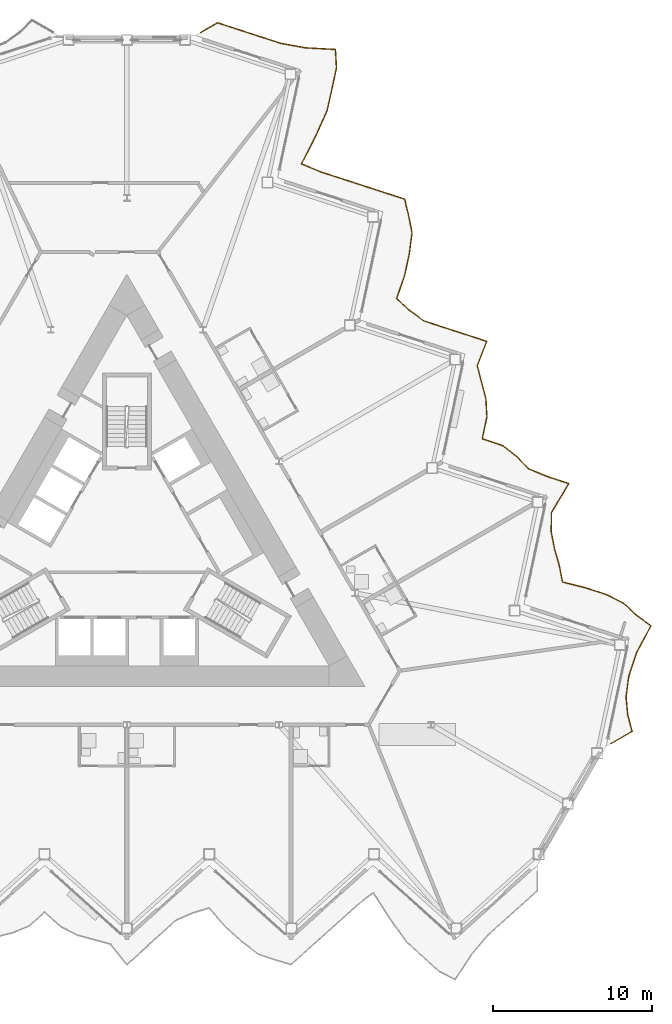
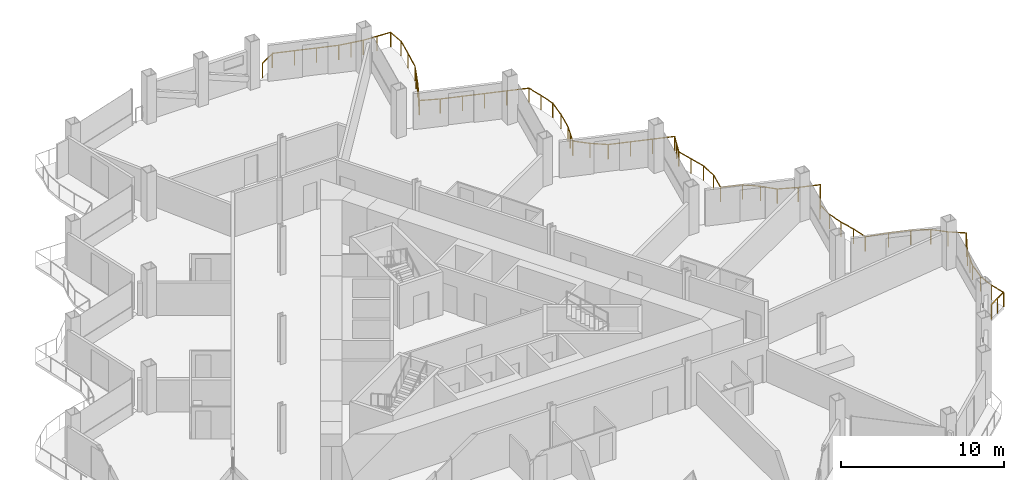
# One storey, part 22 of 24: 1 railing.
"""IFC4 building model written with IfcOpenShell, lengths in metres."""

from ifc_helpers import new_model, si_unit, direction, frame, origin, origin_2d, place, context, subcontext, project, spatial, circle, extrude, material, type_object, element, save


model = new_model("IFC4")

# Units and contexts
model_context = context("Model", 3, precision=1e-05, world=origin(), true_north=direction((0.0, 1.0)))
body_context = subcontext(model_context, "Body", "Model", "MODEL_VIEW")
ifc_project = project(units=[si_unit("LENGTHUNIT", "METRE"), si_unit("AREAUNIT", "SQUARE_METRE"), si_unit("VOLUMEUNIT", "CUBIC_METRE"), si_unit("PLANEANGLEUNIT", "RADIAN"), si_unit("MASSUNIT", "GRAM", prefix="KILO")], contexts=[model_context])

# Site, building, storey
site_placement = place(None, origin())
site = spatial("IfcSite", under=ifc_project, at=site_placement, CompositionType="ELEMENT")
building_placement = place(site_placement, origin())
building = spatial("IfcBuilding", under=site, at=building_placement, Name="Cormorant Prow Tower", CompositionType="ELEMENT")
storey_placement = place(building_placement, frame((0.0, 0.0, 234.60009765625)))
storey = spatial("IfcBuildingStorey", under=building, at=storey_placement, Name="L51", CompositionType="ELEMENT", Elevation=234.60009765625)

# Railing
ifc_material = material(Name="Aluminium 6063-T6", Category="aluminium")
railing_type = type_object("IfcRailingType", Name="Balcony guard 1100", PredefinedType="GUARDRAIL", material=ifc_material)
railing_placement = place(storey_placement, frame((30.512451171875, -12.24365234375, 0.0)))
element("IfcRailing", 1, at=railing_placement, inside=storey, type_object=railing_type, Name="Balcony guard ENE", PredefinedType="GUARDRAIL", context=body_context, shape_type="SweptSolid", body=[
    extrude(circle(Radius=0.02392578125, at=origin_2d()), frame((0.0, 0.0, 1.076171875), z_axis=(0.866030456496, 0.499991248344, 0.0), x_axis=(-0.499991248344, 0.866030456496, 0.0)), (0.0, 0.0, 1.0), 1.52001953125),
    extrude(circle(Radius=0.02392578125, at=origin_2d()), frame((1.31640625, 0.760009765625, 1.076171875), z_axis=(-0.254840792484, 0.966983024921, 0.0), x_axis=(-0.966983024921, -0.254840792484, 0.0)), (0.0, 0.0, 1.0), 1.072021484375),
    extrude(circle(Radius=0.02392578125, at=origin_2d()), frame((1.043212890625, 1.796630859375, 1.076171875), z_axis=(-0.096228090326, 0.995359309311, 0.0), x_axis=(-0.995359309311, -0.096228090326, 0.0)), (0.0, 0.0, 1.0), 1.13671875),
    extrude(circle(Radius=0.02392578125, at=origin_2d()), frame((0.933837890625, 2.927978515625, 1.076171875), z_axis=(0.131035567857, 0.991377667671, 0.0), x_axis=(-0.991377667671, 0.131035567857, 0.0)), (0.0, 0.0, 1.0), 1.30419921875),
    extrude(circle(Radius=0.02392578125, at=origin_2d()), frame((1.104736328125, 4.220947265625, 1.076171875), z_axis=(0.312593203232, 0.949887092919, 0.0), x_axis=(-0.949887092919, 0.312593203232, 0.0)), (0.0, 0.0, 1.0), 1.552734375),
    extrude(circle(Radius=0.02392578125, at=origin_2d()), frame((1.590087890625, 5.69580078125, 1.076171875), z_axis=(0.468727775274, 0.883342670025, 0.0), x_axis=(-0.883342670025, 0.468727775274, 0.0)), (0.0, 0.0, 1.0), 1.948974609375),
    extrude(circle(Radius=0.02392578125, at=origin_2d()), frame((2.503662109375, 7.41748046875, 1.076171875), z_axis=(-0.808512145114, 0.588479490894, 0.0), x_axis=(-0.588479490894, -0.808512145114, 0.0)), (0.0, 0.0, 1.0), 1.1318359375),
    extrude(circle(Radius=0.02392578125, at=origin_2d()), frame((1.588623046875, 8.08349609375, 1.076171875), z_axis=(-0.729332902847, 0.68415898505, 0.0), x_axis=(-0.68415898505, -0.729332902847, 0.0)), (0.0, 0.0, 1.0), 1.080810546875),
    extrude(circle(Radius=0.02392578125, at=origin_2d()), frame((0.80029296875, 8.822998046875, 1.076171875), z_axis=(-0.891036475341, 0.453931712499, 0.0), x_axis=(-0.453931712499, -0.891036475341, 0.0)), (0.0, 0.0, 1.0), 1.233154296875),
    extrude(circle(Radius=0.02392578125, at=origin_2d()), frame((-0.298583984375, 9.3828125, 1.076171875), z_axis=(-0.951041802481, 0.30906227517, 0.0), x_axis=(-0.30906227517, -0.951041802481, 0.0)), (0.0, 0.0, 1.0), 1.391845703125),
    extrude(circle(Radius=0.02392578125, at=origin_2d()), frame((-1.622314453125, 9.81298828125, 1.076171875), z_axis=(-0.970161796479, 0.242458426648, 0.0), x_axis=(-0.242458426648, -0.970161796479, 0.0)), (0.0, 0.0, 1.0), 1.48828125),
    extrude(circle(Radius=0.02392578125, at=origin_2d()), frame((-3.066162109375, 10.173828125, 1.076171875), z_axis=(-0.192507229967, 0.981295555075, 0.0), x_axis=(-0.981295555075, -0.192507229967, 0.0)), (0.0, 0.0, 1.0), 1.09326171875),
    extrude(circle(Radius=0.02392578125, at=origin_2d()), frame((-3.276611328125, 11.24658203125, 1.076171875), z_axis=(-0.276717339996, 0.960951358678, 0.0), x_axis=(-0.960951358678, -0.276717339996, 0.0)), (0.0, 0.0, 1.0), 1.065673828125),
    extrude(circle(Radius=0.02392578125, at=origin_2d()), frame((-3.571533203125, 12.270751953125, 1.076171875), z_axis=(-0.191263897911, 0.981538649955, 0.0), x_axis=(-0.981538649955, -0.191263897911, 0.0)), (0.0, 0.0, 1.0), 1.093994140625),
    extrude(circle(Radius=0.02392578125, at=origin_2d()), frame((-3.78076171875, 13.344482421875, 1.076171875), z_axis=(0.0183993115, 0.99983071834, 0.0), x_axis=(-0.99983071834, 0.0183993115, 0.0)), (0.0, 0.0, 1.0), 1.20751953125),
    extrude(circle(Radius=0.02392578125, at=origin_2d()), frame((-3.758544921875, 14.5517578125, 1.076171875), z_axis=(0.513058699108, 0.85835352348, 0.0), x_axis=(-0.85835352348, 0.513058699108, 0.0)), (0.0, 0.0, 1.0), 2.124755859375),
    extrude(circle(Radius=0.02392578125, at=origin_2d()), frame((-2.66845703125, 16.37548828125, 1.076171875), z_axis=(-0.951025043764, 0.309113840087, 0.0), x_axis=(-0.309113840087, -0.951025043764, 0.0)), (0.0, 0.0, 1.0), 1.3916015625),
    extrude(circle(Radius=0.02392578125, at=origin_2d()), frame((-3.991943359375, 16.8056640625, 1.076171875), z_axis=(-0.924623875509, 0.380881462975, 0.0), x_axis=(-0.380881462975, -0.924623875509, 0.0)), (0.0, 0.0, 1.0), 1.3056640625),
    extrude(circle(Radius=0.02392578125, at=origin_2d()), frame((-5.19921875, 17.302978515625, 1.076171875), z_axis=(-0.698129452418, 0.715971555068, 0.0), x_axis=(-0.715971555068, -0.698129452418, 0.0)), (0.0, 0.0, 1.0), 1.0673828125),
    extrude(circle(Radius=0.02392578125, at=origin_2d()), frame((-5.9443359375, 18.067138671875, 1.076171875), z_axis=(-0.783814393547, 0.62099516622, 0.0), x_axis=(-0.62099516622, -0.783814393547, 0.0)), (0.0, 0.0, 1.0), 1.112548828125),
    extrude(circle(Radius=0.02392578125, at=origin_2d()), frame((-6.81640625, 18.758056640625, 1.076171875), z_axis=(-0.946657972605, 0.322240101327, 0.0), x_axis=(-0.322240101327, -0.946657972605, 0.0)), (0.0, 0.0, 1.0), 1.375),
    extrude(circle(Radius=0.02392578125, at=origin_2d()), frame((-8.1181640625, 19.201171875, 1.076171875), z_axis=(0.208043372931, 0.978119601572, 0.0), x_axis=(-0.978119601572, 0.208043372931, 0.0)), (0.0, 0.0, 1.0), 1.391845703125),
    extrude(circle(Radius=0.02392578125, at=origin_2d()), frame((-7.82861328125, 20.5625, 1.076171875), z_axis=(-0.053663343853, 0.998559084645, 0.0), x_axis=(-0.998559084645, -0.053663343853, 0.0)), (0.0, 0.0, 1.0), 1.16015625),
    extrude(circle(Radius=0.02392578125, at=origin_2d()), frame((-7.890869140625, 21.720947265625, 1.076171875), z_axis=(-0.255804906349, 0.96672842613, 0.0), x_axis=(-0.96672842613, -0.255804906349, 0.0)), (0.0, 0.0, 1.0), 1.07177734375),
    extrude(circle(Radius=0.02392578125, at=origin_2d()), frame((-8.1650390625, 22.757080078125, 1.076171875), z_axis=(-0.254089825129, 0.967180624685, 0.0), x_axis=(-0.967180624685, -0.254089825129, 0.0)), (0.0, 0.0, 1.0), 1.072265625),
    extrude(circle(Radius=0.02392578125, at=origin_2d()), frame((-8.4375, 23.794189453125, 1.076171875), z_axis=(0.361682622655, 0.932301282027, 0.0), x_axis=(-0.932301282027, 0.361682622655, 0.0)), (0.0, 0.0, 1.0), 1.651123046875),
    extrude(circle(Radius=0.02392578125, at=origin_2d()), frame((-7.84033203125, 25.33349609375, 1.076171875), z_axis=(-0.951041802481, 0.30906227517, 0.0), x_axis=(-0.30906227517, -0.951041802481, 0.0)), (0.0, 0.0, 1.0), 1.391845703125),
    extrude(circle(Radius=0.02392578125, at=origin_2d()), frame((-9.1640625, 25.763671875, 1.076171875), z_axis=(-0.951041802481, 0.30906227517, 0.0), x_axis=(-0.30906227517, -0.951041802481, 0.0)), (0.0, 0.0, 1.0), 1.391845703125),
    extrude(circle(Radius=0.02392578125, at=origin_2d()), frame((-10.48779296875, 26.19384765625, 1.076171875), z_axis=(-0.951093348811, 0.308903612552, 0.0), x_axis=(-0.308903612552, -0.951093348811, 0.0)), (0.0, 0.0, 1.0), 1.391845703125),
    extrude(circle(Radius=0.02392578125, at=origin_2d()), frame((-11.8115234375, 26.623779296875, 1.076171875), z_axis=(-0.805338317459, 0.592815480932, 0.0), x_axis=(-0.592815480932, -0.805338317459, 0.0)), (0.0, 0.0, 1.0), 1.129150390625),
    extrude(circle(Radius=0.02392578125, at=origin_2d()), frame((-12.720947265625, 27.293212890625, 1.076171875), z_axis=(-0.730205983412, 0.683227064591, 0.0), x_axis=(-0.683227064591, -0.730205983412, 0.0)), (0.0, 0.0, 1.0), 1.0810546875),
    extrude(circle(Radius=0.02392578125, at=origin_2d()), frame((-13.51025390625, 28.03173828125, 1.076171875), z_axis=(0.32394351761, 0.946076422599, 0.0), x_axis=(-0.946076422599, 0.32394351761, 0.0)), (0.0, 0.0, 1.0), 1.57373046875),
    extrude(circle(Radius=0.02392578125, at=origin_2d()), frame((-13.00048828125, 29.5205078125, 1.076171875), z_axis=(0.207839876658, 0.978162862549, 0.0), x_axis=(-0.978162862549, 0.207839876658, 0.0)), (0.0, 0.0, 1.0), 1.39208984375),
    extrude(circle(Radius=0.02392578125, at=origin_2d()), frame((-12.711181640625, 30.882080078125, 1.076171875), z_axis=(0.127268491601, 0.991868303277, 0.0), x_axis=(-0.991868303277, 0.127268491601, 0.0)), (0.0, 0.0, 1.0), 1.300537109375),
    extrude(circle(Radius=0.02392578125, at=origin_2d()), frame((-12.545654296875, 32.172119140625, 1.076171875), z_axis=(-0.194182012414, 0.980965517261, 0.0), x_axis=(-0.980965517261, -0.194182012414, 0.0)), (0.0, 0.0, 1.0), 1.092529296875),
    extrude(circle(Radius=0.02392578125, at=origin_2d()), frame((-12.7578125, 33.243896484375, 1.076171875), z_axis=(-0.235975942888, 0.971758897247, 0.0), x_axis=(-0.971758897247, -0.235975942888, 0.0)), (0.0, 0.0, 1.0), 1.078125),
    extrude(circle(Radius=0.02392578125, at=origin_2d()), frame((-13.01220703125, 34.29150390625, 1.076171875), z_axis=(-0.951093348811, 0.308903612552, 0.0), x_axis=(-0.308903612552, -0.951093348811, 0.0)), (0.0, 0.0, 1.0), 1.391845703125),
    extrude(circle(Radius=0.02392578125, at=origin_2d()), frame((-14.3359375, 34.721435546875, 1.076171875), z_axis=(-0.950990235276, 0.309220911987, 0.0), x_axis=(-0.309220911987, -0.950990235276, 0.0)), (0.0, 0.0, 1.0), 1.391845703125),
    extrude(circle(Radius=0.02392578125, at=origin_2d()), frame((-15.65966796875, 35.15185546875, 1.076171875), z_axis=(-0.951093348811, 0.308903612552, 0.0), x_axis=(-0.308903612552, -0.951093348811, 0.0)), (0.0, 0.0, 1.0), 1.391845703125),
    extrude(circle(Radius=0.02392578125, at=origin_2d()), frame((-16.9833984375, 35.581787109375, 1.076171875), z_axis=(-0.951041802481, 0.30906227517, 0.0), x_axis=(-0.30906227517, -0.951041802481, 0.0)), (0.0, 0.0, 1.0), 1.391845703125),
    extrude(circle(Radius=0.02392578125, at=origin_2d()), frame((-18.30712890625, 36.011962890625, 1.076171875), z_axis=(-0.923038072254, 0.384708613329, 0.0), x_axis=(-0.384708613329, -0.923038072254, 0.0)), (0.0, 0.0, 1.0), 1.301513671875),
    extrude(circle(Radius=0.02392578125, at=origin_2d()), frame((-19.508544921875, 36.5126953125, 1.076171875), z_axis=(0.455501796215, 0.890234864317, 0.0), x_axis=(-0.890234864317, 0.455501796215, 0.0)), (0.0, 0.0, 1.0), 1.904296875),
    extrude(circle(Radius=0.02392578125, at=origin_2d()), frame((-18.64111328125, 38.2080078125, 1.076171875), z_axis=(0.414917620395, 0.909858982637, 0.0), x_axis=(-0.909858982637, 0.414917620395, 0.0)), (0.0, 0.0, 1.0), 1.78173828125),
    extrude(circle(Radius=0.02392578125, at=origin_2d()), frame((-17.90185546875, 39.8291015625, 1.076171875), z_axis=(0.219024854364, 0.975719279901, 0.0), x_axis=(-0.975719279901, 0.219024854364, 0.0)), (0.0, 0.0, 1.0), 1.40673828125),
    extrude(circle(Radius=0.02392578125, at=origin_2d()), frame((-17.59375, 41.20166015625, 1.076171875), z_axis=(0.208043372931, 0.978119601572, 0.0), x_axis=(-0.978119601572, 0.208043372931, 0.0)), (0.0, 0.0, 1.0), 1.391845703125),
    extrude(circle(Radius=0.02392578125, at=origin_2d()), frame((-17.30419921875, 42.56298828125, 1.076171875), z_axis=(-0.057992644245, 0.99831701038, 0.0), x_axis=(-0.99831701038, -0.057992644245, 0.0)), (0.0, 0.0, 1.0), 1.15771484375),
    extrude(circle(Radius=0.02392578125, at=origin_2d()), frame((-17.371337890625, 43.71875, 1.076171875), z_axis=(-0.998479361675, 0.055126802099, 0.0), x_axis=(-0.055126802099, -0.998479361675, 0.0)), (0.0, 0.0, 1.0), 1.89111328125),
    extrude(circle(Radius=0.02392578125, at=origin_2d()), frame((-19.259521484375, 43.822998046875, 1.076171875), z_axis=(-0.983754816104, 0.179517302209, 0.0), x_axis=(-0.179517302209, -0.983754816104, 0.0)), (0.0, 0.0, 1.0), 1.597900390625),
    extrude(circle(Radius=0.02392578125, at=origin_2d()), frame((-20.83154296875, 44.10986328125, 1.076171875), z_axis=(-0.951093348811, 0.308903612552, 0.0), x_axis=(-0.308903612552, -0.951093348811, 0.0)), (0.0, 0.0, 1.0), 1.391845703125),
    extrude(circle(Radius=0.02392578125, at=origin_2d()), frame((-22.1552734375, 44.539794921875, 1.076171875), z_axis=(-0.951041802481, 0.30906227517, 0.0), x_axis=(-0.30906227517, -0.951041802481, 0.0)), (0.0, 0.0, 1.0), 1.391845703125),
    extrude(circle(Radius=0.02392578125, at=origin_2d()), frame((-23.47900390625, 44.969970703125, 1.076171875), z_axis=(-0.951041802481, 0.30906227517, 0.0), x_axis=(-0.30906227517, -0.951041802481, 0.0)), (0.0, 0.0, 1.0), 1.391845703125),
    extrude(circle(Radius=0.02392578125, at=origin_2d()), frame((-24.802734375, 45.400146484375, 1.076171875), z_axis=(-0.866005645448, -0.500034220881, 0.0), x_axis=(0.500034220881, -0.866005645448, 0.0)), (0.0, 0.0, 1.0), 1.22021484375),
    extrude(circle(Radius=0.02099609375, at=origin_2d()), origin(), (0.0, 0.0, 1.0), 1.052001953125),
    extrude(circle(Radius=0.02099609375, at=origin_2d()), frame((0.658203125, 0.3798828125, 0.0)), (0.0, 0.0, 1.0), 1.052001953125),
    extrude(circle(Radius=0.02099609375, at=origin_2d()), frame((1.31640625, 0.760009765625, 0.0)), (0.0, 0.0, 1.0), 1.052001953125),
    extrude(circle(Radius=0.02099609375, at=origin_2d()), frame((1.043212890625, 1.796630859375, 0.0)), (0.0, 0.0, 1.0), 1.052001953125),
    extrude(circle(Radius=0.02099609375, at=origin_2d()), frame((0.933837890625, 2.927978515625, 0.0)), (0.0, 0.0, 1.0), 1.052001953125),
    extrude(circle(Radius=0.02099609375, at=origin_2d()), frame((1.104736328125, 4.220947265625, 0.0)), (0.0, 0.0, 1.0), 1.052001953125),
    extrude(circle(Radius=0.02099609375, at=origin_2d()), frame((1.347412109375, 4.95849609375, 0.0)), (0.0, 0.0, 1.0), 1.052001953125),
    extrude(circle(Radius=0.02099609375, at=origin_2d()), frame((1.590087890625, 5.69580078125, 0.0)), (0.0, 0.0, 1.0), 1.052001953125),
    extrude(circle(Radius=0.02099609375, at=origin_2d()), frame((2.046875, 6.556640625, 0.0)), (0.0, 0.0, 1.0), 1.052001953125),
    extrude(circle(Radius=0.02099609375, at=origin_2d()), frame((2.503662109375, 7.41748046875, 0.0)), (0.0, 0.0, 1.0), 1.052001953125),
    extrude(circle(Radius=0.02099609375, at=origin_2d()), frame((1.588623046875, 8.08349609375, 0.0)), (0.0, 0.0, 1.0), 1.052001953125),
    extrude(circle(Radius=0.02099609375, at=origin_2d()), frame((0.80029296875, 8.822998046875, 0.0)), (0.0, 0.0, 1.0), 1.052001953125),
    extrude(circle(Radius=0.02099609375, at=origin_2d()), frame((-0.298583984375, 9.3828125, 0.0)), (0.0, 0.0, 1.0), 1.052001953125),
    extrude(circle(Radius=0.02099609375, at=origin_2d()), frame((-1.622314453125, 9.81298828125, 0.0)), (0.0, 0.0, 1.0), 1.052001953125),
    extrude(circle(Radius=0.02099609375, at=origin_2d()), frame((-3.066162109375, 10.173828125, 0.0)), (0.0, 0.0, 1.0), 1.052001953125),
    extrude(circle(Radius=0.02099609375, at=origin_2d()), frame((-3.276611328125, 11.24658203125, 0.0)), (0.0, 0.0, 1.0), 1.052001953125),
    extrude(circle(Radius=0.02099609375, at=origin_2d()), frame((-3.571533203125, 12.270751953125, 0.0)), (0.0, 0.0, 1.0), 1.052001953125),
    extrude(circle(Radius=0.02099609375, at=origin_2d()), frame((-3.78076171875, 13.344482421875, 0.0)), (0.0, 0.0, 1.0), 1.052001953125),
    extrude(circle(Radius=0.02099609375, at=origin_2d()), frame((-3.758544921875, 14.5517578125, 0.0)), (0.0, 0.0, 1.0), 1.052001953125),
    extrude(circle(Radius=0.02099609375, at=origin_2d()), frame((-3.21337890625, 15.463623046875, 0.0)), (0.0, 0.0, 1.0), 1.052001953125),
    extrude(circle(Radius=0.02099609375, at=origin_2d()), frame((-2.66845703125, 16.37548828125, 0.0)), (0.0, 0.0, 1.0), 1.052001953125),
    extrude(circle(Radius=0.02099609375, at=origin_2d()), frame((-3.991943359375, 16.8056640625, 0.0)), (0.0, 0.0, 1.0), 1.052001953125),
    extrude(circle(Radius=0.02099609375, at=origin_2d()), frame((-5.19921875, 17.302978515625, 0.0)), (0.0, 0.0, 1.0), 1.052001953125),
    extrude(circle(Radius=0.02099609375, at=origin_2d()), frame((-5.9443359375, 18.067138671875, 0.0)), (0.0, 0.0, 1.0), 1.052001953125),
    extrude(circle(Radius=0.02099609375, at=origin_2d()), frame((-6.81640625, 18.758056640625, 0.0)), (0.0, 0.0, 1.0), 1.052001953125),
    extrude(circle(Radius=0.02099609375, at=origin_2d()), frame((-8.1181640625, 19.201171875, 0.0)), (0.0, 0.0, 1.0), 1.052001953125),
    extrude(circle(Radius=0.02099609375, at=origin_2d()), frame((-7.82861328125, 20.5625, 0.0)), (0.0, 0.0, 1.0), 1.052001953125),
    extrude(circle(Radius=0.02099609375, at=origin_2d()), frame((-7.890869140625, 21.720947265625, 0.0)), (0.0, 0.0, 1.0), 1.052001953125),
    extrude(circle(Radius=0.02099609375, at=origin_2d()), frame((-8.1650390625, 22.757080078125, 0.0)), (0.0, 0.0, 1.0), 1.052001953125),
    extrude(circle(Radius=0.02099609375, at=origin_2d()), frame((-8.4375, 23.794189453125, 0.0)), (0.0, 0.0, 1.0), 1.052001953125),
    extrude(circle(Radius=0.02099609375, at=origin_2d()), frame((-8.138916015625, 24.56396484375, 0.0)), (0.0, 0.0, 1.0), 1.052001953125),
    extrude(circle(Radius=0.02099609375, at=origin_2d()), frame((-7.84033203125, 25.33349609375, 0.0)), (0.0, 0.0, 1.0), 1.052001953125),
    extrude(circle(Radius=0.02099609375, at=origin_2d()), frame((-9.1640625, 25.763671875, 0.0)), (0.0, 0.0, 1.0), 1.052001953125),
    extrude(circle(Radius=0.02099609375, at=origin_2d()), frame((-10.48779296875, 26.19384765625, 0.0)), (0.0, 0.0, 1.0), 1.052001953125),
    extrude(circle(Radius=0.02099609375, at=origin_2d()), frame((-11.8115234375, 26.623779296875, 0.0)), (0.0, 0.0, 1.0), 1.052001953125),
    extrude(circle(Radius=0.02099609375, at=origin_2d()), frame((-12.720947265625, 27.293212890625, 0.0)), (0.0, 0.0, 1.0), 1.052001953125),
    extrude(circle(Radius=0.02099609375, at=origin_2d()), frame((-13.51025390625, 28.03173828125, 0.0)), (0.0, 0.0, 1.0), 1.052001953125),
    extrude(circle(Radius=0.02099609375, at=origin_2d()), frame((-13.25537109375, 28.776123046875, 0.0)), (0.0, 0.0, 1.0), 1.052001953125),
    extrude(circle(Radius=0.02099609375, at=origin_2d()), frame((-13.00048828125, 29.5205078125, 0.0)), (0.0, 0.0, 1.0), 1.052001953125),
    extrude(circle(Radius=0.02099609375, at=origin_2d()), frame((-12.711181640625, 30.882080078125, 0.0)), (0.0, 0.0, 1.0), 1.052001953125),
    extrude(circle(Radius=0.02099609375, at=origin_2d()), frame((-12.545654296875, 32.172119140625, 0.0)), (0.0, 0.0, 1.0), 1.052001953125),
    extrude(circle(Radius=0.02099609375, at=origin_2d()), frame((-12.7578125, 33.243896484375, 0.0)), (0.0, 0.0, 1.0), 1.052001953125),
    extrude(circle(Radius=0.02099609375, at=origin_2d()), frame((-13.01220703125, 34.29150390625, 0.0)), (0.0, 0.0, 1.0), 1.052001953125),
    extrude(circle(Radius=0.02099609375, at=origin_2d()), frame((-14.3359375, 34.721435546875, 0.0)), (0.0, 0.0, 1.0), 1.052001953125),
    extrude(circle(Radius=0.02099609375, at=origin_2d()), frame((-15.65966796875, 35.15185546875, 0.0)), (0.0, 0.0, 1.0), 1.052001953125),
    extrude(circle(Radius=0.02099609375, at=origin_2d()), frame((-16.9833984375, 35.581787109375, 0.0)), (0.0, 0.0, 1.0), 1.052001953125),
    extrude(circle(Radius=0.02099609375, at=origin_2d()), frame((-18.30712890625, 36.011962890625, 0.0)), (0.0, 0.0, 1.0), 1.052001953125),
    extrude(circle(Radius=0.02099609375, at=origin_2d()), frame((-19.508544921875, 36.5126953125, 0.0)), (0.0, 0.0, 1.0), 1.052001953125),
    extrude(circle(Radius=0.02099609375, at=origin_2d()), frame((-19.07470703125, 37.3603515625, 0.0)), (0.0, 0.0, 1.0), 1.052001953125),
    extrude(circle(Radius=0.02099609375, at=origin_2d()), frame((-18.64111328125, 38.2080078125, 0.0)), (0.0, 0.0, 1.0), 1.052001953125),
    extrude(circle(Radius=0.02099609375, at=origin_2d()), frame((-18.271484375, 39.0185546875, 0.0)), (0.0, 0.0, 1.0), 1.052001953125),
    extrude(circle(Radius=0.02099609375, at=origin_2d()), frame((-17.90185546875, 39.8291015625, 0.0)), (0.0, 0.0, 1.0), 1.052001953125),
    extrude(circle(Radius=0.02099609375, at=origin_2d()), frame((-17.59375, 41.20166015625, 0.0)), (0.0, 0.0, 1.0), 1.052001953125),
    extrude(circle(Radius=0.02099609375, at=origin_2d()), frame((-17.30419921875, 42.56298828125, 0.0)), (0.0, 0.0, 1.0), 1.052001953125),
    extrude(circle(Radius=0.02099609375, at=origin_2d()), frame((-17.371337890625, 43.71875, 0.0)), (0.0, 0.0, 1.0), 1.052001953125),
    extrude(circle(Radius=0.02099609375, at=origin_2d()), frame((-18.3154296875, 43.77099609375, 0.0)), (0.0, 0.0, 1.0), 1.052001953125),
    extrude(circle(Radius=0.02099609375, at=origin_2d()), frame((-19.259521484375, 43.822998046875, 0.0)), (0.0, 0.0, 1.0), 1.052001953125),
    extrude(circle(Radius=0.02099609375, at=origin_2d()), frame((-20.04541015625, 43.96630859375, 0.0)), (0.0, 0.0, 1.0), 1.052001953125),
    extrude(circle(Radius=0.02099609375, at=origin_2d()), frame((-20.83154296875, 44.10986328125, 0.0)), (0.0, 0.0, 1.0), 1.052001953125),
    extrude(circle(Radius=0.02099609375, at=origin_2d()), frame((-22.1552734375, 44.539794921875, 0.0)), (0.0, 0.0, 1.0), 1.052001953125),
    extrude(circle(Radius=0.02099609375, at=origin_2d()), frame((-23.47900390625, 44.969970703125, 0.0)), (0.0, 0.0, 1.0), 1.052001953125),
    extrude(circle(Radius=0.02099609375, at=origin_2d()), frame((-24.802734375, 45.400146484375, 0.0)), (0.0, 0.0, 1.0), 1.052001953125),
    extrude(circle(Radius=0.02099609375, at=origin_2d()), frame((-25.859375, 44.7900390625, 0.0)), (0.0, 0.0, 1.0), 1.052001953125),
])

save(model, "model.ifc")
